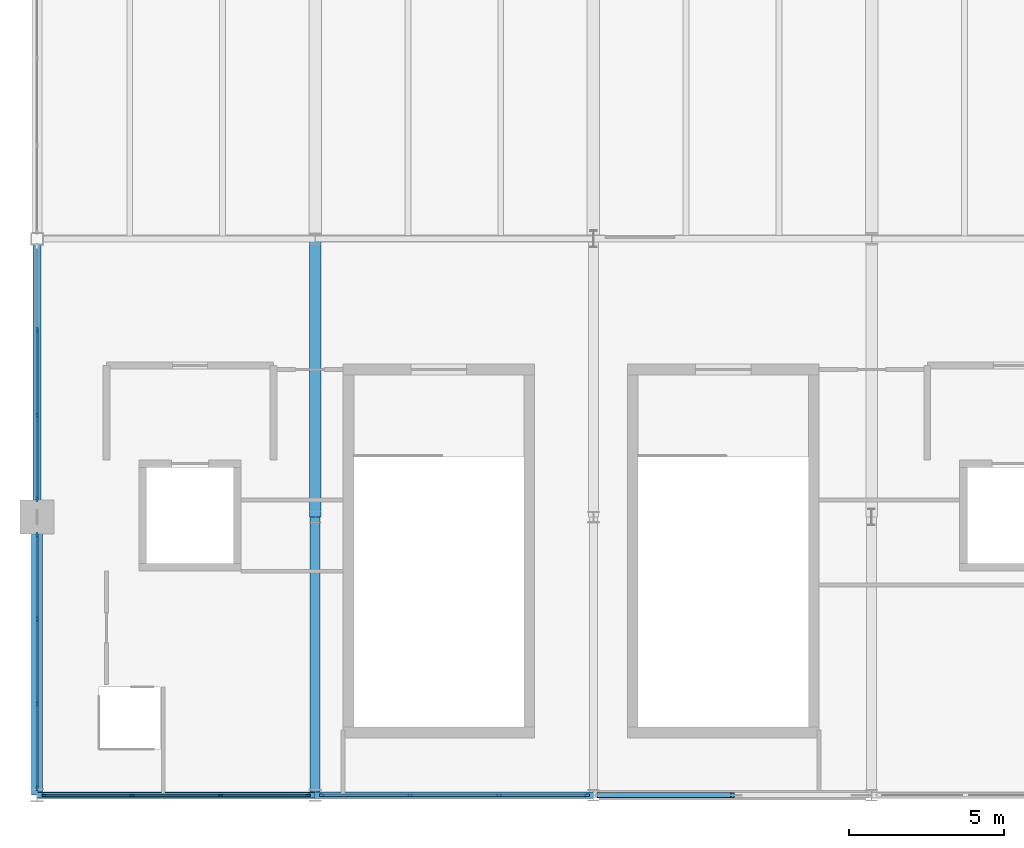
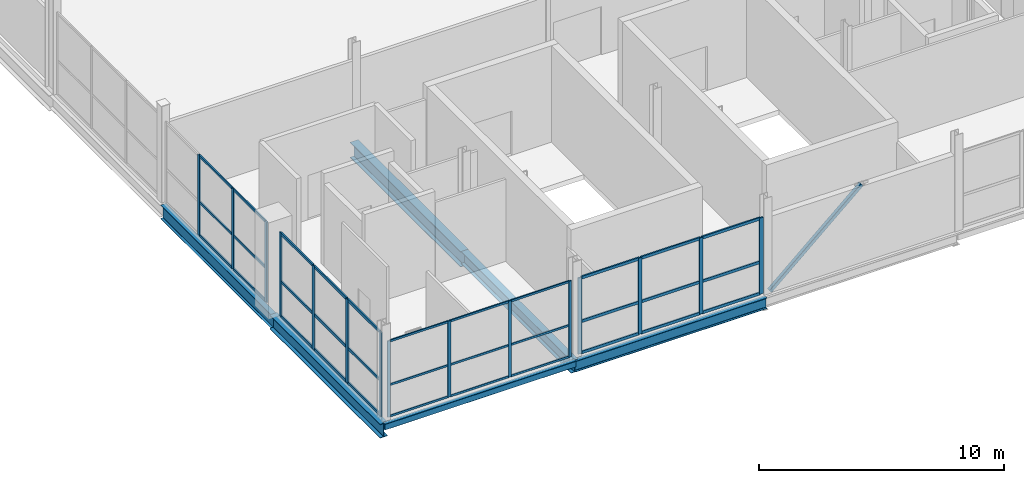
# One storey, part 6 of 29: 49 members, 6 beams, 4 elements without a shape of their own.
"""IFC4 building model written with IfcOpenShell, lengths in metres."""

from ifc_helpers import new_model, si_unit, direction, frame, origin, origin_2d, place, context, subcontext, project, spatial, rectangle, hollow_rectangle, i_section, extrude, material, layer, layer_set, material_profile, profile_set, type_object, element, aggregate, save


model = new_model("IFC4")

# Units and contexts
model_context = context("Model", 3, precision=1e-05, world=origin(), true_north=direction((0.0, 1.0)))
body_context = subcontext(model_context, "Body", "Model", "MODEL_VIEW")
ifc_project = project(units=[si_unit("LENGTHUNIT", "METRE"), si_unit("AREAUNIT", "SQUARE_METRE"), si_unit("VOLUMEUNIT", "CUBIC_METRE"), si_unit("PLANEANGLEUNIT", "RADIAN"), si_unit("MASSUNIT", "GRAM", prefix="KILO")], contexts=[model_context])

# Site, building, storey
site_placement = place(None, origin())
site = spatial("IfcSite", under=ifc_project, at=site_placement, CompositionType="ELEMENT")
building_placement = place(site_placement, origin())
building = spatial("IfcBuilding", under=site, at=building_placement, Name="Qamarlyn Nura Convention Centre", CompositionType="ELEMENT")
storey_placement = place(building_placement, frame((0.0, 0.0, 25.199951171875)))
storey = spatial("IfcBuildingStorey", under=building, at=storey_placement, Name="L05", CompositionType="ELEMENT", Elevation=25.199951171875)

# Beams
ifc_material_1 = material(Name="Steel ASTM A992", Category="steel")
ifc_material_profile_1 = material_profile(ifc_material_1, i_section(OverallWidth=0.323974609375, OverallDepth=0.611083984375, WebThickness=0.0126953125, FlangeThickness=0.01904296875, FilletRadius=0.01611328125, at=origin_2d()), Name="W610X155")
ifc_profile_set_1 = profile_set([ifc_material_profile_1], Name="Steel ASTM A992")
beam_type_1 = type_object("IfcBeamType", Name="BM-GIRD-610", PredefinedType="BEAM", material=ifc_profile_set_1)
beam_1_placement = place(storey_placement, frame((162.0, 0.0, -0.54541015625), z_axis=(0.0, 1.0, 0.0), x_axis=(-1.0, 0.0, 0.0)))
element("IfcBeam", 1, at=beam_1_placement, inside=storey, type_object=beam_type_1, Name="L05 girder 14 A-B", PredefinedType="BEAM", context=body_context, shape_type="SweptSolid", body=[
    extrude(i_section(OverallWidth=0.323974609375, OverallDepth=0.611083984375, WebThickness=0.0126953125, FlangeThickness=0.01904296875, FilletRadius=0.01611328125, at=origin_2d()), origin(), (0.0, 0.0, 1.0), 9.0),
])
ifc_material_profile_2 = material_profile(ifc_material_1, i_section(OverallWidth=0.35498046875, OverallDepth=0.695068359375, WebThickness=0.015380859375, FlangeThickness=0.02490234375, FilletRadius=0.01806640625, at=origin_2d()), Name="W690X217")
ifc_profile_set_2 = profile_set([ifc_material_profile_2], Name="Steel ASTM A992")
beam_type_2 = type_object("IfcBeamType", Name="BM-GIRD-690A", PredefinedType="BEAM", material=ifc_profile_set_2)
beam_2_placement = place(storey_placement, frame((153.0, 0.0, -0.58740234375), z_axis=(0.0, 1.0, 0.0), x_axis=(-1.0, 0.0, 0.0)))
element("IfcBeam", 2, at=beam_2_placement, inside=storey, type_object=beam_type_2, Name="L05 girder 13 A-B", PredefinedType="BEAM", context=body_context, shape_type="SweptSolid", body=[
    extrude(i_section(OverallWidth=0.35498046875, OverallDepth=0.695068359375, WebThickness=0.015380859375, FlangeThickness=0.02490234375, FilletRadius=0.01806640625, at=origin_2d()), origin(), (0.0, 0.0, 1.0), 9.0),
])
ifc_material_profile_3 = material_profile(ifc_material_1, i_section(OverallWidth=0.25390625, OverallDepth=0.68408203125, WebThickness=0.012451171875, FlangeThickness=0.01904296875, FilletRadius=0.01806640625, at=origin_2d()), Name="W690X140")
ifc_profile_set_3 = profile_set([ifc_material_profile_3], Name="Steel ASTM A992")
beam_type_3 = type_object("IfcBeamType", Name="BM-GIRD-690B", PredefinedType="BEAM", material=ifc_profile_set_3)
beam_3_placement = place(storey_placement, frame((153.0, 9.0, -0.58203125), z_axis=(0.0, 1.0, 0.0), x_axis=(-1.0, 0.0, 0.0)))
element("IfcBeam", 3, at=beam_3_placement, inside=storey, type_object=beam_type_3, Name="L05 girder 13 B-C", PredefinedType="BEAM", context=body_context, shape_type="SweptSolid", body=[
    extrude(i_section(OverallWidth=0.25390625, OverallDepth=0.68408203125, WebThickness=0.012451171875, FlangeThickness=0.01904296875, FilletRadius=0.01806640625, at=origin_2d()), origin(), (0.0, 0.0, 1.0), 9.0),
])
ifc_material_profile_4 = material_profile(ifc_material_1, i_section(OverallWidth=0.381103515625, OverallDepth=0.77294921875, WebThickness=0.0166015625, FlangeThickness=0.027587890625, FilletRadius=0.02001953125, at=origin_2d()), Name="W760X257")
ifc_profile_set_4 = profile_set([ifc_material_profile_4], Name="Steel ASTM A992")
beam_type_4 = type_object("IfcBeamType", Name="BM-GIRD-760", PredefinedType="BEAM", material=ifc_profile_set_4)
beam_4_placement = place(storey_placement, frame((162.0, 9.0, -0.62646484375), z_axis=(0.0, 1.0, 0.0), x_axis=(-1.0, 0.0, 0.0)))
element("IfcBeam", 4, at=beam_4_placement, inside=storey, type_object=beam_type_4, Name="L05 girder 14 B-C", PredefinedType="BEAM", context=body_context, shape_type="SweptSolid", body=[
    extrude(i_section(OverallWidth=0.381103515625, OverallDepth=0.77294921875, WebThickness=0.0166015625, FlangeThickness=0.027587890625, FilletRadius=0.02001953125, at=origin_2d()), origin(), (0.0, 0.0, 1.0), 9.0),
])
ifc_material_profile_5 = material_profile(ifc_material_1, i_section(OverallWidth=0.2109375, OverallDepth=0.5390625, WebThickness=0.01171875, FlangeThickness=0.018798828125, FilletRadius=0.013916015625, at=origin_2d()), Name="W530X109")
ifc_profile_set_5 = profile_set([ifc_material_profile_5], Name="Steel ASTM A992")
beam_type_5 = type_object("IfcBeamType", Name="BM-SPAN-530", PredefinedType="SPANDREL", material=ifc_profile_set_5)
beam_5_placement = place(storey_placement, frame((162.0, 0.0, -0.509521484375), z_axis=(1.0, 0.0, 0.0), x_axis=(0.0, 1.0, 0.0)))
element("IfcBeam", 5, at=beam_5_placement, inside=storey, type_object=beam_type_5, Name="L05 girder A 14-15", PredefinedType="SPANDREL", context=body_context, shape_type="SweptSolid", body=[
    extrude(i_section(OverallWidth=0.2109375, OverallDepth=0.5390625, WebThickness=0.01171875, FlangeThickness=0.018798828125, FilletRadius=0.013916015625, at=origin_2d()), origin(), (0.0, 0.0, 1.0), 9.0),
])
ifc_material_2 = material(Name="Steel ASTM A500 Grade C", Category="steel")
ifc_material_profile_6 = material_profile(ifc_material_2, hollow_rectangle(XDim=0.199951171875, YDim=0.300048828125, WallThickness=0.012451171875, InnerFilletRadius=0.012451171875, OuterFilletRadius=0.02490234375, at=origin_2d()), Name="HSS300X200X12.5")
ifc_profile_set_6 = profile_set([ifc_material_profile_6], Name="Steel ASTM A500 Grade C")
beam_type_6 = type_object("IfcBeamType", Name="BM-SPAN-HSS", PredefinedType="SPANDREL", material=ifc_profile_set_6)
beam_6_placement = place(storey_placement, frame((153.0, 0.0, -0.389892578125), z_axis=(1.0, 0.0, 0.0), x_axis=(0.0, 1.0, 0.0)))
element("IfcBeam", 6, at=beam_6_placement, inside=storey, type_object=beam_type_6, Name="L05 girder A 13-14", PredefinedType="SPANDREL", context=body_context, shape_type="SweptSolid", body=[
    extrude(hollow_rectangle(XDim=0.199951171875, YDim=0.300048828125, WallThickness=0.012451171875, InnerFilletRadius=0.012451171875, OuterFilletRadius=0.02490234375, at=origin_2d()), origin(), (0.0, 0.0, 1.0), 9.0),
])

# Member
ifc_material_profile_7 = material_profile(ifc_material_2, hollow_rectangle(XDim=0.179931640625, YDim=0.179931640625, WallThickness=0.008056640625, InnerFilletRadius=0.008056640625, OuterFilletRadius=0.01611328125, at=origin_2d()), Name="HSS180X180X8")
ifc_profile_set_7 = profile_set([ifc_material_profile_7], Name="Steel ASTM A500 Grade C")
member_type_1 = type_object("IfcMemberType", Name="CBF-BRC-180", PredefinedType="BRACE", material=ifc_profile_set_7)
member_1_placement = place(storey_placement, frame((171.179931640625, 0.0, 0.0), z_axis=(0.750074081098, 0.0, 0.661353818213), x_axis=(0.0, 1.0, 0.0)))
element("IfcMember", 7, at=member_1_placement, inside=storey, type_object=member_type_1, Name="L05 SCBF chevron brace CBF-E1L", PredefinedType="BRACE", context=body_context, shape_type="SweptSolid", body=[
    extrude(hollow_rectangle(XDim=0.179931640625, YDim=0.179931640625, WallThickness=0.008056640625, InnerFilletRadius=0.008056640625, OuterFilletRadius=0.01611328125, at=origin_2d()), origin(), (0.0, 0.0, 1.0), 5.759521484375),
])

# Curtain wall, members
ifc_material_3 = material(Name="Double-silver low-E insulated glass", Category="glass")
ifc_layer_1 = layer(ifc_material_3, 0.179931640625, Name="CW-UNIT-155")
ifc_layer_set_1 = layer_set([ifc_layer_1], Name="Double-silver low-E insulated glass")
curtain_wall_type_1 = type_object("IfcCurtainWallType", Name="CW-UNIT-155", PredefinedType="NOTDEFINED", material=ifc_layer_set_1)
curtain_wall_1_placement = place(storey_placement, origin())
curtain_wall_1 = element("IfcCurtainWall", 8, at=curtain_wall_1_placement, inside=storey, type_object=curtain_wall_type_1, Name="L05 unitised curtain wall STH-1-1", PredefinedType="NOTDEFINED")
ifc_material_4 = material(Name="Champagne-anodised marine aluminium", Category="aluminium")
ifc_material_profile_8 = material_profile(ifc_material_4, rectangle(XDim=0.06005859375, YDim=0.139892578125, at=origin_2d()), Name="ALU MULLION 60x140")
ifc_profile_set_8 = profile_set([ifc_material_profile_8], Name="Champagne-anodised marine aluminium")
member_type_2 = type_object("IfcMemberType", Name="CWM-140", PredefinedType="MULLION", material=ifc_profile_set_8)
member_2_placement = place(storey_placement, frame((161.7705078125, 0.0, 0.0), z_axis=(0.0, 0.0, 1.0), x_axis=(0.0, -1.0, 0.0)))
member_2 = element("IfcMember", 9, at=member_2_placement, type_object=member_type_2, Name="CW155 mullion 1", PredefinedType="MULLION", context=body_context, shape_type="SweptSolid", body=[
    extrude(rectangle(XDim=0.06005859375, YDim=0.139892578125, at=origin_2d()), origin(), (0.0, 0.0, 1.0), 3.7939453125),
])
member_3_placement = place(storey_placement, frame((158.93505859375, 0.0, 0.0), z_axis=(0.0, 0.0, 1.0), x_axis=(0.0, -1.0, 0.0)))
member_3 = element("IfcMember", 10, at=member_3_placement, type_object=member_type_2, Name="CW155 mullion 2", PredefinedType="MULLION", context=body_context, shape_type="SweptSolid", body=[
    extrude(rectangle(XDim=0.06005859375, YDim=0.139892578125, at=origin_2d()), origin(), (0.0, 0.0, 1.0), 3.7939453125),
])
member_4_placement = place(storey_placement, frame((156.06982421875, 0.0, 0.0), z_axis=(0.0, 0.0, 1.0), x_axis=(0.0, -1.0, 0.0)))
member_4 = element("IfcMember", 11, at=member_4_placement, type_object=member_type_2, Name="CW155 mullion 3", PredefinedType="MULLION", context=body_context, shape_type="SweptSolid", body=[
    extrude(rectangle(XDim=0.06005859375, YDim=0.139892578125, at=origin_2d()), origin(), (0.0, 0.0, 1.0), 3.7939453125),
])
member_5_placement = place(storey_placement, frame((153.234619140625, 0.0, 0.0), z_axis=(0.0, 0.0, 1.0), x_axis=(0.0, -1.0, 0.0)))
member_5 = element("IfcMember", 12, at=member_5_placement, type_object=member_type_2, Name="CW155 mullion 4", PredefinedType="MULLION", context=body_context, shape_type="SweptSolid", body=[
    extrude(rectangle(XDim=0.06005859375, YDim=0.139892578125, at=origin_2d()), origin(), (0.0, 0.0, 1.0), 3.7939453125),
])

ifc_layer_2 = layer(ifc_material_3, 0.179931640625, Name="CW-UNIT-160")
ifc_layer_set_2 = layer_set([ifc_layer_2], Name="Double-silver low-E insulated glass")
curtain_wall_type_2 = type_object("IfcCurtainWallType", Name="CW-UNIT-160", PredefinedType="NOTDEFINED", material=ifc_layer_set_2)
curtain_wall_2_placement = place(storey_placement, origin())
curtain_wall_2 = element("IfcCurtainWall", 13, at=curtain_wall_2_placement, inside=storey, type_object=curtain_wall_type_2, Name="L05 unitised curtain wall FCW-9-1", PredefinedType="NOTDEFINED")
ifc_material_profile_9 = material_profile(ifc_material_4, rectangle(XDim=0.06494140625, YDim=0.159912109375, at=origin_2d()), Name="ALU MULLION 65x160")
ifc_profile_set_9 = profile_set([ifc_material_profile_9], Name="Champagne-anodised marine aluminium")
member_type_3 = type_object("IfcMemberType", Name="CWM-160", PredefinedType="MULLION", material=ifc_profile_set_9)
member_6_placement = place(storey_placement, frame((153.0, 9.58251953125, 0.0), z_axis=(0.0, 0.0, 1.0), x_axis=(-1.0, 0.0, 0.0)))
member_6 = element("IfcMember", 14, at=member_6_placement, type_object=member_type_3, Name="CW160 mullion 1", PredefinedType="MULLION", context=body_context, shape_type="SweptSolid", body=[
    extrude(rectangle(XDim=0.06494140625, YDim=0.159912109375, at=origin_2d()), origin(), (0.0, 0.0, 1.0), 4.011962890625),
])
member_7_placement = place(storey_placement, frame((153.0, 12.300048828125, 0.0), z_axis=(0.0, 0.0, 1.0), x_axis=(-1.0, 0.0, 0.0)))
member_7 = element("IfcMember", 15, at=member_7_placement, type_object=member_type_3, Name="CW160 mullion 2", PredefinedType="MULLION", context=body_context, shape_type="SweptSolid", body=[
    extrude(rectangle(XDim=0.06494140625, YDim=0.159912109375, at=origin_2d()), origin(), (0.0, 0.0, 1.0), 4.011962890625),
])
member_8_placement = place(storey_placement, frame((153.0, 15.050048828125, 0.0), z_axis=(0.0, 0.0, 1.0), x_axis=(-1.0, 0.0, 0.0)))
member_8 = element("IfcMember", 16, at=member_8_placement, type_object=member_type_3, Name="CW160 mullion 3", PredefinedType="MULLION", context=body_context, shape_type="SweptSolid", body=[
    extrude(rectangle(XDim=0.06494140625, YDim=0.159912109375, at=origin_2d()), origin(), (0.0, 0.0, 1.0), 4.011962890625),
])

ifc_layer_3 = layer(ifc_material_3, 0.179931640625, Name="CW-UNIT-156")
ifc_layer_set_3 = layer_set([ifc_layer_3], Name="Double-silver low-E insulated glass")
curtain_wall_type_3 = type_object("IfcCurtainWallType", Name="CW-UNIT-156", PredefinedType="NOTDEFINED", material=ifc_layer_set_3)
curtain_wall_3_placement = place(storey_placement, origin())
curtain_wall_3 = element("IfcCurtainWall", 17, at=curtain_wall_3_placement, inside=storey, type_object=curtain_wall_type_3, Name="L05 unitised curtain wall STH-2-1", PredefinedType="NOTDEFINED")
ifc_material_profile_10 = material_profile(ifc_material_4, rectangle(XDim=0.070068359375, YDim=0.179931640625, at=origin_2d()), Name="ALU MULLION 70x180")
ifc_profile_set_10 = profile_set([ifc_material_profile_10], Name="Champagne-anodised marine aluminium")
member_type_4 = type_object("IfcMemberType", Name="CWM-180", PredefinedType="MULLION", material=ifc_profile_set_10)
member_9_placement = place(storey_placement, frame((170.778076171875, 0.0, 0.0), z_axis=(0.0, 0.0, 1.0), x_axis=(0.0, -1.0, 0.0)))
member_9 = element("IfcMember", 18, at=member_9_placement, type_object=member_type_4, Name="CW156 mullion 1", PredefinedType="MULLION", context=body_context, shape_type="SweptSolid", body=[
    extrude(rectangle(XDim=0.070068359375, YDim=0.179931640625, at=origin_2d()), origin(), (0.0, 0.0, 1.0), 3.7939453125),
])
member_10_placement = place(storey_placement, frame((167.94189453125, 0.0, 0.0), z_axis=(0.0, 0.0, 1.0), x_axis=(0.0, -1.0, 0.0)))
member_10 = element("IfcMember", 19, at=member_10_placement, type_object=member_type_4, Name="CW156 mullion 2", PredefinedType="MULLION", context=body_context, shape_type="SweptSolid", body=[
    extrude(rectangle(XDim=0.070068359375, YDim=0.179931640625, at=origin_2d()), origin(), (0.0, 0.0, 1.0), 3.7939453125),
])
member_11_placement = place(storey_placement, frame((165.070556640625, 0.0, 0.0), z_axis=(0.0, 0.0, 1.0), x_axis=(0.0, -1.0, 0.0)))
member_11 = element("IfcMember", 20, at=member_11_placement, type_object=member_type_4, Name="CW156 mullion 3", PredefinedType="MULLION", context=body_context, shape_type="SweptSolid", body=[
    extrude(rectangle(XDim=0.070068359375, YDim=0.179931640625, at=origin_2d()), origin(), (0.0, 0.0, 1.0), 3.7939453125),
])
member_12_placement = place(storey_placement, frame((162.234619140625, 0.0, 0.0), z_axis=(0.0, 0.0, 1.0), x_axis=(0.0, -1.0, 0.0)))
member_12 = element("IfcMember", 21, at=member_12_placement, type_object=member_type_4, Name="CW156 mullion 4", PredefinedType="MULLION", context=body_context, shape_type="SweptSolid", body=[
    extrude(rectangle(XDim=0.070068359375, YDim=0.179931640625, at=origin_2d()), origin(), (0.0, 0.0, 1.0), 3.7939453125),
])

ifc_layer_4 = layer(ifc_material_3, 0.179931640625, Name="CW-UNIT-159")
ifc_layer_set_4 = layer_set([ifc_layer_4], Name="Double-silver low-E insulated glass")
curtain_wall_type_4 = type_object("IfcCurtainWallType", Name="CW-UNIT-159", PredefinedType="NOTDEFINED", material=ifc_layer_set_4)
curtain_wall_4_placement = place(storey_placement, origin())
curtain_wall_4 = element("IfcCurtainWall", 22, at=curtain_wall_4_placement, inside=storey, type_object=curtain_wall_type_4, Name="L05 unitised curtain wall FCW-0-1", PredefinedType="NOTDEFINED")
member_13_placement = place(storey_placement, frame((153.0, 0.24755859375, 0.0), z_axis=(0.0, 0.0, 1.0), x_axis=(-1.0, 0.0, 0.0)))
member_13 = element("IfcMember", 23, at=member_13_placement, type_object=member_type_4, Name="CW159 mullion 1", PredefinedType="MULLION", context=body_context, shape_type="SweptSolid", body=[
    extrude(rectangle(XDim=0.070068359375, YDim=0.179931640625, at=origin_2d()), origin(), (0.0, 0.0, 1.0), 4.174072265625),
])
member_14_placement = place(storey_placement, frame((153.0, 2.958251953125, 0.0), z_axis=(0.0, 0.0, 1.0), x_axis=(-1.0, 0.0, 0.0)))
member_14 = element("IfcMember", 24, at=member_14_placement, type_object=member_type_4, Name="CW159 mullion 2", PredefinedType="MULLION", context=body_context, shape_type="SweptSolid", body=[
    extrude(rectangle(XDim=0.070068359375, YDim=0.179931640625, at=origin_2d()), origin(), (0.0, 0.0, 1.0), 4.174072265625),
])
member_15_placement = place(storey_placement, frame((153.0, 5.7041015625, 0.0), z_axis=(0.0, 0.0, 1.0), x_axis=(-1.0, 0.0, 0.0)))
member_15 = element("IfcMember", 25, at=member_15_placement, type_object=member_type_4, Name="CW159 mullion 3", PredefinedType="MULLION", context=body_context, shape_type="SweptSolid", body=[
    extrude(rectangle(XDim=0.070068359375, YDim=0.179931640625, at=origin_2d()), origin(), (0.0, 0.0, 1.0), 4.174072265625),
])
member_16_placement = place(storey_placement, frame((153.0, 8.4150390625, 0.0), z_axis=(0.0, 0.0, 1.0), x_axis=(-1.0, 0.0, 0.0)))
member_16 = element("IfcMember", 26, at=member_16_placement, type_object=member_type_4, Name="CW159 mullion 4", PredefinedType="MULLION", context=body_context, shape_type="SweptSolid", body=[
    extrude(rectangle(XDim=0.070068359375, YDim=0.179931640625, at=origin_2d()), origin(), (0.0, 0.0, 1.0), 4.174072265625),
])

# Member
ifc_material_profile_11 = material_profile(ifc_material_4, rectangle(XDim=0.06005859375, YDim=0.10009765625, at=origin_2d()), Name="ALU TRANSOM 60x100")
ifc_profile_set_11 = profile_set([ifc_material_profile_11], Name="Champagne-anodised marine aluminium")
member_type_5 = type_object("IfcMemberType", Name="CWT-100", PredefinedType="USERDEFINED", material=ifc_profile_set_11)
member_17_placement = place(storey_placement, frame((161.740478515625, 0.0, 0.030029296875), z_axis=(-1.0, 0.0, 0.0), x_axis=(0.0, -1.0, 0.0)))
member_17 = element("IfcMember", 27, at=member_17_placement, type_object=member_type_5, Name="CW155 transom 1.1", ObjectType="TRANSOM", PredefinedType="USERDEFINED", context=body_context, shape_type="SweptSolid", body=[
    extrude(rectangle(XDim=0.06005859375, YDim=0.10009765625, at=origin_2d()), origin(), (0.0, 0.0, 1.0), 2.775390625),
])

member_18_placement = place(storey_placement, frame((161.740478515625, 0.0, 1.593017578125), z_axis=(-1.0, 0.0, 0.0), x_axis=(0.0, -1.0, 0.0)))
member_18 = element("IfcMember", 28, at=member_18_placement, type_object=member_type_5, Name="CW155 transom 1.2", ObjectType="TRANSOM", PredefinedType="USERDEFINED", context=body_context, shape_type="SweptSolid", body=[
    extrude(rectangle(XDim=0.06005859375, YDim=0.10009765625, at=origin_2d()), origin(), (0.0, 0.0, 1.0), 2.775390625),
])

member_19_placement = place(storey_placement, frame((161.740478515625, 0.0, 3.76416015625), z_axis=(-1.0, 0.0, 0.0), x_axis=(0.0, -1.0, 0.0)))
member_19 = element("IfcMember", 29, at=member_19_placement, type_object=member_type_5, Name="CW155 transom 1.3", ObjectType="TRANSOM", PredefinedType="USERDEFINED", context=body_context, shape_type="SweptSolid", body=[
    extrude(rectangle(XDim=0.06005859375, YDim=0.10009765625, at=origin_2d()), origin(), (0.0, 0.0, 1.0), 2.775390625),
])

member_20_placement = place(storey_placement, frame((158.9052734375, 0.0, 0.030029296875), z_axis=(-1.0, 0.0, 0.0), x_axis=(0.0, -1.0, 0.0)))
member_20 = element("IfcMember", 30, at=member_20_placement, type_object=member_type_5, Name="CW155 transom 2.1", ObjectType="TRANSOM", PredefinedType="USERDEFINED", context=body_context, shape_type="SweptSolid", body=[
    extrude(rectangle(XDim=0.06005859375, YDim=0.10009765625, at=origin_2d()), origin(), (0.0, 0.0, 1.0), 2.805419921875),
])

member_21_placement = place(storey_placement, frame((158.9052734375, 0.0, 1.593017578125), z_axis=(-1.0, 0.0, 0.0), x_axis=(0.0, -1.0, 0.0)))
member_21 = element("IfcMember", 31, at=member_21_placement, type_object=member_type_5, Name="CW155 transom 2.2", ObjectType="TRANSOM", PredefinedType="USERDEFINED", context=body_context, shape_type="SweptSolid", body=[
    extrude(rectangle(XDim=0.06005859375, YDim=0.10009765625, at=origin_2d()), origin(), (0.0, 0.0, 1.0), 2.805419921875),
])

member_22_placement = place(storey_placement, frame((158.9052734375, 0.0, 3.76416015625), z_axis=(-1.0, 0.0, 0.0), x_axis=(0.0, -1.0, 0.0)))
member_22 = element("IfcMember", 32, at=member_22_placement, type_object=member_type_5, Name="CW155 transom 2.3", ObjectType="TRANSOM", PredefinedType="USERDEFINED", context=body_context, shape_type="SweptSolid", body=[
    extrude(rectangle(XDim=0.06005859375, YDim=0.10009765625, at=origin_2d()), origin(), (0.0, 0.0, 1.0), 2.805419921875),
])

member_23_placement = place(storey_placement, frame((156.039794921875, 0.0, 0.030029296875), z_axis=(-1.0, 0.0, 0.0), x_axis=(0.0, -1.0, 0.0)))
member_23 = element("IfcMember", 33, at=member_23_placement, type_object=member_type_5, Name="CW155 transom 3.1", ObjectType="TRANSOM", PredefinedType="USERDEFINED", context=body_context, shape_type="SweptSolid", body=[
    extrude(rectangle(XDim=0.06005859375, YDim=0.10009765625, at=origin_2d()), origin(), (0.0, 0.0, 1.0), 2.775390625),
])

member_24_placement = place(storey_placement, frame((156.039794921875, 0.0, 1.593017578125), z_axis=(-1.0, 0.0, 0.0), x_axis=(0.0, -1.0, 0.0)))
member_24 = element("IfcMember", 34, at=member_24_placement, type_object=member_type_5, Name="CW155 transom 3.2", ObjectType="TRANSOM", PredefinedType="USERDEFINED", context=body_context, shape_type="SweptSolid", body=[
    extrude(rectangle(XDim=0.06005859375, YDim=0.10009765625, at=origin_2d()), origin(), (0.0, 0.0, 1.0), 2.775390625),
])

member_25_placement = place(storey_placement, frame((156.039794921875, 0.0, 3.76416015625), z_axis=(-1.0, 0.0, 0.0), x_axis=(0.0, -1.0, 0.0)))
member_25 = element("IfcMember", 35, at=member_25_placement, type_object=member_type_5, Name="CW155 transom 3.3", ObjectType="TRANSOM", PredefinedType="USERDEFINED", context=body_context, shape_type="SweptSolid", body=[
    extrude(rectangle(XDim=0.06005859375, YDim=0.10009765625, at=origin_2d()), origin(), (0.0, 0.0, 1.0), 2.775390625),
])

aggregate(curtain_wall_1, [member_2, member_3, member_4, member_5, member_17, member_18, member_19, member_20, member_21, member_22, member_23, member_24, member_25])

ifc_material_profile_12 = material_profile(ifc_material_4, rectangle(XDim=0.06494140625, YDim=0.1201171875, at=origin_2d()), Name="ALU TRANSOM 65x120")
ifc_profile_set_12 = profile_set([ifc_material_profile_12], Name="Champagne-anodised marine aluminium")
member_type_6 = type_object("IfcMemberType", Name="CWT-120", PredefinedType="USERDEFINED", material=ifc_profile_set_12)
member_26_placement = place(storey_placement, frame((153.0, 9.614990234375, 0.032470703125), z_axis=(0.0, 1.0, 0.0), x_axis=(-1.0, 0.0, 0.0)))
member_26 = element("IfcMember", 36, at=member_26_placement, type_object=member_type_6, Name="CW160 transom 1.1", ObjectType="TRANSOM", PredefinedType="USERDEFINED", context=body_context, shape_type="SweptSolid", body=[
    extrude(rectangle(XDim=0.06494140625, YDim=0.1201171875, at=origin_2d()), origin(), (0.0, 0.0, 1.0), 2.652587890625),
])

member_27_placement = place(storey_placement, frame((153.0, 9.614990234375, 1.68505859375), z_axis=(0.0, 1.0, 0.0), x_axis=(-1.0, 0.0, 0.0)))
member_27 = element("IfcMember", 37, at=member_27_placement, type_object=member_type_6, Name="CW160 transom 1.2", ObjectType="TRANSOM", PredefinedType="USERDEFINED", context=body_context, shape_type="SweptSolid", body=[
    extrude(rectangle(XDim=0.06494140625, YDim=0.1201171875, at=origin_2d()), origin(), (0.0, 0.0, 1.0), 2.652587890625),
])

member_28_placement = place(storey_placement, frame((153.0, 9.614990234375, 3.9794921875), z_axis=(0.0, 1.0, 0.0), x_axis=(-1.0, 0.0, 0.0)))
member_28 = element("IfcMember", 38, at=member_28_placement, type_object=member_type_6, Name="CW160 transom 1.3", ObjectType="TRANSOM", PredefinedType="USERDEFINED", context=body_context, shape_type="SweptSolid", body=[
    extrude(rectangle(XDim=0.06494140625, YDim=0.1201171875, at=origin_2d()), origin(), (0.0, 0.0, 1.0), 2.652587890625),
])

member_29_placement = place(storey_placement, frame((153.0, 12.33251953125, 0.032470703125), z_axis=(0.0, 1.0, 0.0), x_axis=(-1.0, 0.0, 0.0)))
member_29 = element("IfcMember", 39, at=member_29_placement, type_object=member_type_6, Name="CW160 transom 2.1", ObjectType="TRANSOM", PredefinedType="USERDEFINED", context=body_context, shape_type="SweptSolid", body=[
    extrude(rectangle(XDim=0.06494140625, YDim=0.1201171875, at=origin_2d()), origin(), (0.0, 0.0, 1.0), 2.68505859375),
])

member_30_placement = place(storey_placement, frame((153.0, 12.33251953125, 1.68505859375), z_axis=(0.0, 1.0, 0.0), x_axis=(-1.0, 0.0, 0.0)))
member_30 = element("IfcMember", 40, at=member_30_placement, type_object=member_type_6, Name="CW160 transom 2.2", ObjectType="TRANSOM", PredefinedType="USERDEFINED", context=body_context, shape_type="SweptSolid", body=[
    extrude(rectangle(XDim=0.06494140625, YDim=0.1201171875, at=origin_2d()), origin(), (0.0, 0.0, 1.0), 2.68505859375),
])

member_31_placement = place(storey_placement, frame((153.0, 12.33251953125, 3.9794921875), z_axis=(0.0, 1.0, 0.0), x_axis=(-1.0, 0.0, 0.0)))
member_31 = element("IfcMember", 41, at=member_31_placement, type_object=member_type_6, Name="CW160 transom 2.3", ObjectType="TRANSOM", PredefinedType="USERDEFINED", context=body_context, shape_type="SweptSolid", body=[
    extrude(rectangle(XDim=0.06494140625, YDim=0.1201171875, at=origin_2d()), origin(), (0.0, 0.0, 1.0), 2.68505859375),
])

aggregate(curtain_wall_2, [member_6, member_7, member_8, member_26, member_27, member_28, member_29, member_30, member_31])

ifc_material_profile_13 = material_profile(ifc_material_4, rectangle(XDim=0.070068359375, YDim=0.139892578125, at=origin_2d()), Name="ALU TRANSOM 70x140")
ifc_profile_set_13 = profile_set([ifc_material_profile_13], Name="Champagne-anodised marine aluminium")
member_type_7 = type_object("IfcMemberType", Name="CWT-140", PredefinedType="USERDEFINED", material=ifc_profile_set_13)
member_32_placement = place(storey_placement, frame((170.742919921875, 0.0, 0.03515625), z_axis=(-1.0, 0.0, 0.0), x_axis=(0.0, -1.0, 0.0)))
member_32 = element("IfcMember", 42, at=member_32_placement, type_object=member_type_7, Name="CW156 transom 1.1", ObjectType="TRANSOM", PredefinedType="USERDEFINED", context=body_context, shape_type="SweptSolid", body=[
    extrude(rectangle(XDim=0.070068359375, YDim=0.139892578125, at=origin_2d()), origin(), (0.0, 0.0, 1.0), 2.76611328125),
])

member_33_placement = place(storey_placement, frame((170.742919921875, 0.0, 1.593017578125), z_axis=(-1.0, 0.0, 0.0), x_axis=(0.0, -1.0, 0.0)))
member_33 = element("IfcMember", 43, at=member_33_placement, type_object=member_type_7, Name="CW156 transom 1.2", ObjectType="TRANSOM", PredefinedType="USERDEFINED", context=body_context, shape_type="SweptSolid", body=[
    extrude(rectangle(XDim=0.070068359375, YDim=0.139892578125, at=origin_2d()), origin(), (0.0, 0.0, 1.0), 2.76611328125),
])

member_34_placement = place(storey_placement, frame((170.742919921875, 0.0, 3.759033203125), z_axis=(-1.0, 0.0, 0.0), x_axis=(0.0, -1.0, 0.0)))
member_34 = element("IfcMember", 44, at=member_34_placement, type_object=member_type_7, Name="CW156 transom 1.3", ObjectType="TRANSOM", PredefinedType="USERDEFINED", context=body_context, shape_type="SweptSolid", body=[
    extrude(rectangle(XDim=0.070068359375, YDim=0.139892578125, at=origin_2d()), origin(), (0.0, 0.0, 1.0), 2.76611328125),
])

member_35_placement = place(storey_placement, frame((167.90673828125, 0.0, 0.03515625), z_axis=(-1.0, 0.0, 0.0), x_axis=(0.0, -1.0, 0.0)))
member_35 = element("IfcMember", 45, at=member_35_placement, type_object=member_type_7, Name="CW156 transom 2.1", ObjectType="TRANSOM", PredefinedType="USERDEFINED", context=body_context, shape_type="SweptSolid", body=[
    extrude(rectangle(XDim=0.070068359375, YDim=0.139892578125, at=origin_2d()), origin(), (0.0, 0.0, 1.0), 2.801025390625),
])

member_36_placement = place(storey_placement, frame((167.90673828125, 0.0, 1.593017578125), z_axis=(-1.0, 0.0, 0.0), x_axis=(0.0, -1.0, 0.0)))
member_36 = element("IfcMember", 46, at=member_36_placement, type_object=member_type_7, Name="CW156 transom 2.2", ObjectType="TRANSOM", PredefinedType="USERDEFINED", context=body_context, shape_type="SweptSolid", body=[
    extrude(rectangle(XDim=0.070068359375, YDim=0.139892578125, at=origin_2d()), origin(), (0.0, 0.0, 1.0), 2.801025390625),
])

member_37_placement = place(storey_placement, frame((167.90673828125, 0.0, 3.759033203125), z_axis=(-1.0, 0.0, 0.0), x_axis=(0.0, -1.0, 0.0)))
member_37 = element("IfcMember", 47, at=member_37_placement, type_object=member_type_7, Name="CW156 transom 2.3", ObjectType="TRANSOM", PredefinedType="USERDEFINED", context=body_context, shape_type="SweptSolid", body=[
    extrude(rectangle(XDim=0.070068359375, YDim=0.139892578125, at=origin_2d()), origin(), (0.0, 0.0, 1.0), 2.801025390625),
])

member_38_placement = place(storey_placement, frame((165.03564453125, 0.0, 0.03515625), z_axis=(-1.0, 0.0, 0.0), x_axis=(0.0, -1.0, 0.0)))
member_38 = element("IfcMember", 48, at=member_38_placement, type_object=member_type_7, Name="CW156 transom 3.1", ObjectType="TRANSOM", PredefinedType="USERDEFINED", context=body_context, shape_type="SweptSolid", body=[
    extrude(rectangle(XDim=0.070068359375, YDim=0.139892578125, at=origin_2d()), origin(), (0.0, 0.0, 1.0), 2.76611328125),
])

member_39_placement = place(storey_placement, frame((165.03564453125, 0.0, 1.593017578125), z_axis=(-1.0, 0.0, 0.0), x_axis=(0.0, -1.0, 0.0)))
member_39 = element("IfcMember", 49, at=member_39_placement, type_object=member_type_7, Name="CW156 transom 3.2", ObjectType="TRANSOM", PredefinedType="USERDEFINED", context=body_context, shape_type="SweptSolid", body=[
    extrude(rectangle(XDim=0.070068359375, YDim=0.139892578125, at=origin_2d()), origin(), (0.0, 0.0, 1.0), 2.76611328125),
])

member_40_placement = place(storey_placement, frame((165.03564453125, 0.0, 3.759033203125), z_axis=(-1.0, 0.0, 0.0), x_axis=(0.0, -1.0, 0.0)))
member_40 = element("IfcMember", 50, at=member_40_placement, type_object=member_type_7, Name="CW156 transom 3.3", ObjectType="TRANSOM", PredefinedType="USERDEFINED", context=body_context, shape_type="SweptSolid", body=[
    extrude(rectangle(XDim=0.070068359375, YDim=0.139892578125, at=origin_2d()), origin(), (0.0, 0.0, 1.0), 2.76611328125),
])

aggregate(curtain_wall_3, [member_9, member_10, member_11, member_12, member_32, member_33, member_34, member_35, member_36, member_37, member_38, member_39, member_40])

member_41_placement = place(storey_placement, frame((153.0, 0.282470703125, 0.03515625), z_axis=(0.0, 1.0, 0.0), x_axis=(-1.0, 0.0, 0.0)))
member_41 = element("IfcMember", 51, at=member_41_placement, type_object=member_type_7, Name="CW159 transom 1.1", ObjectType="TRANSOM", PredefinedType="USERDEFINED", context=body_context, shape_type="SweptSolid", body=[
    extrude(rectangle(XDim=0.070068359375, YDim=0.139892578125, at=origin_2d()), origin(), (0.0, 0.0, 1.0), 2.640869140625),
])

member_42_placement = place(storey_placement, frame((153.0, 0.282470703125, 1.7529296875), z_axis=(0.0, 1.0, 0.0), x_axis=(-1.0, 0.0, 0.0)))
member_42 = element("IfcMember", 52, at=member_42_placement, type_object=member_type_7, Name="CW159 transom 1.2", ObjectType="TRANSOM", PredefinedType="USERDEFINED", context=body_context, shape_type="SweptSolid", body=[
    extrude(rectangle(XDim=0.070068359375, YDim=0.139892578125, at=origin_2d()), origin(), (0.0, 0.0, 1.0), 2.640869140625),
])

member_43_placement = place(storey_placement, frame((153.0, 0.282470703125, 4.13916015625), z_axis=(0.0, 1.0, 0.0), x_axis=(-1.0, 0.0, 0.0)))
member_43 = element("IfcMember", 53, at=member_43_placement, type_object=member_type_7, Name="CW159 transom 1.3", ObjectType="TRANSOM", PredefinedType="USERDEFINED", context=body_context, shape_type="SweptSolid", body=[
    extrude(rectangle(XDim=0.070068359375, YDim=0.139892578125, at=origin_2d()), origin(), (0.0, 0.0, 1.0), 2.640869140625),
])

member_44_placement = place(storey_placement, frame((153.0, 2.993408203125, 0.03515625), z_axis=(0.0, 1.0, 0.0), x_axis=(-1.0, 0.0, 0.0)))
member_44 = element("IfcMember", 54, at=member_44_placement, type_object=member_type_7, Name="CW159 transom 2.1", ObjectType="TRANSOM", PredefinedType="USERDEFINED", context=body_context, shape_type="SweptSolid", body=[
    extrude(rectangle(XDim=0.070068359375, YDim=0.139892578125, at=origin_2d()), origin(), (0.0, 0.0, 1.0), 2.67578125),
])

member_45_placement = place(storey_placement, frame((153.0, 2.993408203125, 1.7529296875), z_axis=(0.0, 1.0, 0.0), x_axis=(-1.0, 0.0, 0.0)))
member_45 = element("IfcMember", 55, at=member_45_placement, type_object=member_type_7, Name="CW159 transom 2.2", ObjectType="TRANSOM", PredefinedType="USERDEFINED", context=body_context, shape_type="SweptSolid", body=[
    extrude(rectangle(XDim=0.070068359375, YDim=0.139892578125, at=origin_2d()), origin(), (0.0, 0.0, 1.0), 2.67578125),
])

member_46_placement = place(storey_placement, frame((153.0, 2.993408203125, 4.13916015625), z_axis=(0.0, 1.0, 0.0), x_axis=(-1.0, 0.0, 0.0)))
member_46 = element("IfcMember", 56, at=member_46_placement, type_object=member_type_7, Name="CW159 transom 2.3", ObjectType="TRANSOM", PredefinedType="USERDEFINED", context=body_context, shape_type="SweptSolid", body=[
    extrude(rectangle(XDim=0.070068359375, YDim=0.139892578125, at=origin_2d()), origin(), (0.0, 0.0, 1.0), 2.67578125),
])

member_47_placement = place(storey_placement, frame((153.0, 5.7392578125, 0.03515625), z_axis=(0.0, 1.0, 0.0), x_axis=(-1.0, 0.0, 0.0)))
member_47 = element("IfcMember", 57, at=member_47_placement, type_object=member_type_7, Name="CW159 transom 3.1", ObjectType="TRANSOM", PredefinedType="USERDEFINED", context=body_context, shape_type="SweptSolid", body=[
    extrude(rectangle(XDim=0.070068359375, YDim=0.139892578125, at=origin_2d()), origin(), (0.0, 0.0, 1.0), 2.640625),
])

member_48_placement = place(storey_placement, frame((153.0, 5.7392578125, 1.7529296875), z_axis=(0.0, 1.0, 0.0), x_axis=(-1.0, 0.0, 0.0)))
member_48 = element("IfcMember", 58, at=member_48_placement, type_object=member_type_7, Name="CW159 transom 3.2", ObjectType="TRANSOM", PredefinedType="USERDEFINED", context=body_context, shape_type="SweptSolid", body=[
    extrude(rectangle(XDim=0.070068359375, YDim=0.139892578125, at=origin_2d()), origin(), (0.0, 0.0, 1.0), 2.640625),
])

member_49_placement = place(storey_placement, frame((153.0, 5.7392578125, 4.13916015625), z_axis=(0.0, 1.0, 0.0), x_axis=(-1.0, 0.0, 0.0)))
member_49 = element("IfcMember", 59, at=member_49_placement, type_object=member_type_7, Name="CW159 transom 3.3", ObjectType="TRANSOM", PredefinedType="USERDEFINED", context=body_context, shape_type="SweptSolid", body=[
    extrude(rectangle(XDim=0.070068359375, YDim=0.139892578125, at=origin_2d()), origin(), (0.0, 0.0, 1.0), 2.640625),
])

aggregate(curtain_wall_4, [member_13, member_14, member_15, member_16, member_41, member_42, member_43, member_44, member_45, member_46, member_47, member_48, member_49])

save(model, "model.ifc")
